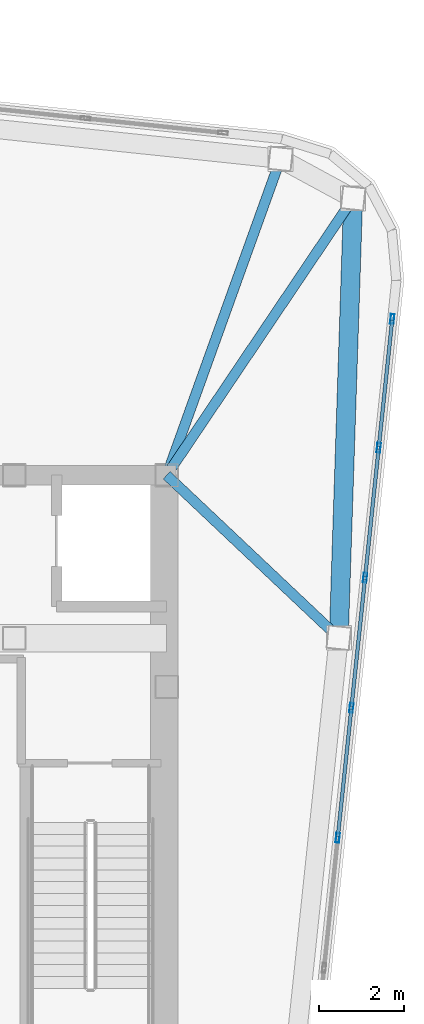
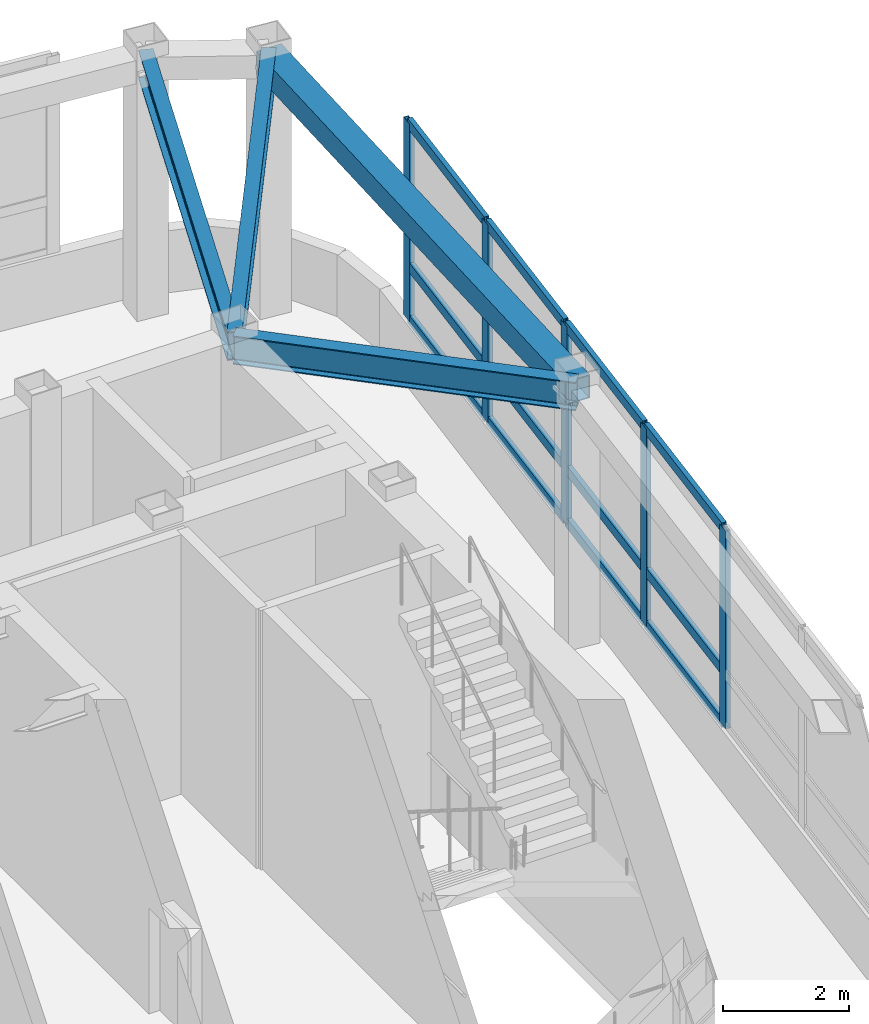
# One storey, part 13 of 23: 17 members, 4 beams, 1 element without a shape of its own.
"""IFC4 building model written with IfcOpenShell, lengths in metres."""

from ifc_helpers import new_model, si_unit, direction, frame, origin, origin_2d, place, context, subcontext, project, spatial, hollow_rectangle, i_section, extrude, material, layer, layer_set, material_profile, profile_set, type_object, element, aggregate, save


model = new_model("IFC4")

# Units and contexts
model_context = context("Model", 3, precision=1e-05, world=origin(), true_north=direction((0.0, 1.0)))
body_context = subcontext(model_context, "Body", "Model", "MODEL_VIEW")
ifc_project = project(units=[si_unit("LENGTHUNIT", "METRE"), si_unit("AREAUNIT", "SQUARE_METRE"), si_unit("VOLUMEUNIT", "CUBIC_METRE"), si_unit("PLANEANGLEUNIT", "RADIAN"), si_unit("MASSUNIT", "GRAM", prefix="KILO")], contexts=[model_context])

# Site, building, storey
site_placement = place(None, origin())
site = spatial("IfcSite", under=ifc_project, at=site_placement, CompositionType="ELEMENT")
building_placement = place(site_placement, origin())
building = spatial("IfcBuilding", under=site, at=building_placement, Name="Voryun Gate Residences", CompositionType="ELEMENT")
storey_placement = place(building_placement, frame((0.0, 0.0, 326.60009765625)))
storey = spatial("IfcBuildingStorey", under=building, at=storey_placement, Name="L80", CompositionType="ELEMENT", Elevation=326.60009765625)

# Beams
ifc_material_1 = material(Name="Steel SM355", Category="steel")
ifc_material_profile_1 = material_profile(ifc_material_1, hollow_rectangle(XDim=0.449951171875, YDim=0.449951171875, WallThickness=0.01806640625, at=origin_2d()), Name="BOX-450x450x18")
ifc_profile_set_1 = profile_set([ifc_material_profile_1], Name="Steel SM355")
beam_type_1 = type_object("IfcBeamType", Name="BM_CROWN_RING", PredefinedType="BEAM", material=ifc_profile_set_1)
beam_1_placement = place(storey_placement, frame((23.263916015625, 3.56201171875, 4.7998046875), z_axis=(0.032727694972, 0.999464305507, 0.0), x_axis=(-0.999464305507, 0.032727694972, 0.0)))
element("IfcBeam", 1, at=beam_1_placement, inside=storey, type_object=beam_type_1, Name="BM-L80-SPAND-09", PredefinedType="BEAM", context=body_context, shape_type="SweptSolid", body=[
    extrude(hollow_rectangle(XDim=0.449951171875, YDim=0.449951171875, WallThickness=0.01806640625, at=origin_2d()), origin(), (0.0, 0.0, 1.0), 10.384033203125),
])
ifc_material_2 = material(Name="Steel SM355", Category="steel")
ifc_material_profile_2 = material_profile(ifc_material_2, i_section(OverallWidth=0.239990234375, OverallDepth=0.550048828125, WebThickness=0.011962890625, FlangeThickness=0.02001953125, FilletRadius=0.01806640625, at=origin_2d()), Name="H-550x240x12x20")
ifc_profile_set_2 = profile_set([ifc_material_profile_2], Name="Steel SM355")
beam_type_2 = type_object("IfcBeamType", Name="BM_GIRD_550", PredefinedType="USERDEFINED", material=ifc_profile_set_2)
beam_2_placement = place(storey_placement, frame((19.199951171875, 7.39990234375, 4.75), z_axis=(0.727039799683, -0.686595317255, 0.0), x_axis=(0.686595317255, 0.727039799683, 0.0)))
element("IfcBeam", 2, at=beam_2_placement, inside=storey, type_object=beam_type_2, Name="BM-L80-RAD-E2", ObjectType="GIRDER", PredefinedType="USERDEFINED", context=body_context, shape_type="SweptSolid", body=[
    extrude(i_section(OverallWidth=0.239990234375, OverallDepth=0.550048828125, WebThickness=0.011962890625, FlangeThickness=0.02001953125, FilletRadius=0.01806640625, at=origin_2d()), origin(), (0.0, 0.0, 1.0), 5.58984375),
])
beam_3_placement = place(storey_placement, frame((19.199951171875, 7.39990234375, 4.75), z_axis=(0.558509953657, 0.829497818964, 0.0), x_axis=(-0.829497818964, 0.558509953657, 0.0)))
element("IfcBeam", 3, at=beam_3_placement, inside=storey, type_object=beam_type_2, Name="BM-L80-RAD-CNE", ObjectType="GIRDER", PredefinedType="USERDEFINED", context=body_context, shape_type="SweptSolid", body=[
    extrude(i_section(OverallWidth=0.239990234375, OverallDepth=0.550048828125, WebThickness=0.011962890625, FlangeThickness=0.02001953125, FilletRadius=0.01806640625, at=origin_2d()), origin(), (0.0, 0.0, 1.0), 7.885009765625),
])
beam_4_placement = place(storey_placement, frame((19.199951171875, 7.39990234375, 4.75), z_axis=(0.338588822794, 0.940934433996, 0.0), x_axis=(-0.940934433996, 0.338588822794, 0.0)))
element("IfcBeam", 4, at=beam_4_placement, inside=storey, type_object=beam_type_2, Name="BM-L80-RAD-N1", ObjectType="GIRDER", PredefinedType="USERDEFINED", context=body_context, shape_type="SweptSolid", body=[
    extrude(i_section(OverallWidth=0.239990234375, OverallDepth=0.550048828125, WebThickness=0.011962890625, FlangeThickness=0.02001953125, FilletRadius=0.01806640625, at=origin_2d()), origin(), (0.0, 0.0, 1.0), 7.94091796875),
])

# Curtain wall, members
ifc_material_3 = material(Name="Anodised aluminium", Category="aluminium")
ifc_layer = layer(ifc_material_3, 0.22998046875, Name="CW_SYS_LANTERN_DARK_GLASS")
ifc_layer_set = layer_set([ifc_layer], Name="Anodised aluminium")
curtain_wall_type = type_object("IfcCurtainWallType", Name="CW_SYS_LANTERN_DARK_GLASS", PredefinedType="NOTDEFINED", material=ifc_layer_set)
curtain_wall_placement = place(storey_placement, origin())
curtain_wall = element("IfcCurtainWall", 5, at=curtain_wall_placement, inside=storey, type_object=curtain_wall_type, Name="Curtain wall CW6-L80-16", PredefinedType="NOTDEFINED")
ifc_material_4 = material(Name="Anodised aluminium", Category="aluminium")
ifc_material_profile_3 = material_profile(ifc_material_4, hollow_rectangle(XDim=0.0849609375, YDim=0.22998046875, WallThickness=0.006103515625, at=origin_2d()), Name="ALU-MULL-230x85x6")
ifc_profile_set_3 = profile_set([ifc_material_profile_3], Name="Anodised aluminium")
member_type_1 = type_object("IfcMemberType", Name="CW_MULL_LANT", PredefinedType="MULLION", material=ifc_profile_set_3)
member_1_placement = place(storey_placement, frame((24.52783203125, 11.090576171875, 1.18994140625), z_axis=(0.0, 0.0, 1.0), x_axis=(0.994521943608, -0.104528004296, 0.0)))
member_1 = element("IfcMember", 6, at=member_1_placement, type_object=member_type_1, Name="CW6 mullion 1", PredefinedType="MULLION", context=body_context, shape_type="SweptSolid", body=[
    extrude(hollow_rectangle(XDim=0.0849609375, YDim=0.22998046875, WallThickness=0.006103515625, at=origin_2d()), origin(), (0.0, 0.0, 1.0), 3.8349609375),
])
member_2_placement = place(storey_placement, frame((24.208251953125, 8.04931640625, 1.18994140625), z_axis=(0.0, 0.0, 1.0), x_axis=(0.994521943608, -0.104528004296, 0.0)))
member_2 = element("IfcMember", 7, at=member_2_placement, type_object=member_type_1, Name="CW6 mullion 2", PredefinedType="MULLION", context=body_context, shape_type="SweptSolid", body=[
    extrude(hollow_rectangle(XDim=0.0849609375, YDim=0.22998046875, WallThickness=0.006103515625, at=origin_2d()), origin(), (0.0, 0.0, 1.0), 3.8349609375),
])
member_3_placement = place(storey_placement, frame((23.885498046875, 4.978515625, 1.18994140625), z_axis=(0.0, 0.0, 1.0), x_axis=(0.994521943608, -0.104528004296, 0.0)))
member_3 = element("IfcMember", 8, at=member_3_placement, type_object=member_type_1, Name="CW6 mullion 3", PredefinedType="MULLION", context=body_context, shape_type="SweptSolid", body=[
    extrude(hollow_rectangle(XDim=0.0849609375, YDim=0.22998046875, WallThickness=0.006103515625, at=origin_2d()), origin(), (0.0, 0.0, 1.0), 3.8349609375),
])
member_4_placement = place(storey_placement, frame((23.562744140625, 1.907470703125, 1.18994140625), z_axis=(0.0, 0.0, 1.0), x_axis=(0.994521943608, -0.104528004296, 0.0)))
member_4 = element("IfcMember", 9, at=member_4_placement, type_object=member_type_1, Name="CW6 mullion 4", PredefinedType="MULLION", context=body_context, shape_type="SweptSolid", body=[
    extrude(hollow_rectangle(XDim=0.0849609375, YDim=0.22998046875, WallThickness=0.006103515625, at=origin_2d()), origin(), (0.0, 0.0, 1.0), 3.8349609375),
])
member_5_placement = place(storey_placement, frame((23.239990234375, -1.163330078125, 1.18994140625), z_axis=(0.0, 0.0, 1.0), x_axis=(0.994521943608, -0.104528004296, 0.0)))
member_5 = element("IfcMember", 10, at=member_5_placement, type_object=member_type_1, Name="CW6 mullion 5", PredefinedType="MULLION", context=body_context, shape_type="SweptSolid", body=[
    extrude(hollow_rectangle(XDim=0.0849609375, YDim=0.22998046875, WallThickness=0.006103515625, at=origin_2d()), origin(), (0.0, 0.0, 1.0), 3.8349609375),
])
ifc_material_5 = material(Name="Anodised aluminium", Category="aluminium")
ifc_material_profile_4 = material_profile(ifc_material_5, hollow_rectangle(XDim=0.0849609375, YDim=0.18994140625, WallThickness=0.006103515625, at=origin_2d()), Name="ALU-TRAN-190x85x6")
ifc_profile_set_4 = profile_set([ifc_material_profile_4], Name="Anodised aluminium")
member_type_2 = type_object("IfcMemberType", Name="CW_TRAN_LANT", PredefinedType="USERDEFINED", material=ifc_profile_set_4)
member_6_placement = place(storey_placement, frame((24.524658203125, 11.060546875, 1.219970703125), z_axis=(-0.104485537102, -0.994526406153, 0.0), x_axis=(0.994526406153, -0.104485537102, 0.0)))
member_6 = element("IfcMember", 11, at=member_6_placement, type_object=member_type_2, Name="CW6 transom 1.1", ObjectType="TRANSOM", PredefinedType="USERDEFINED", context=body_context, shape_type="SweptSolid", body=[
    extrude(hollow_rectangle(XDim=0.0849609375, YDim=0.18994140625, WallThickness=0.006103515625, at=origin_2d()), origin(), (0.0, 0.0, 1.0), 2.997802734375),
])
member_7_placement = place(storey_placement, frame((24.524658203125, 11.060546875, 2.239990234375), z_axis=(-0.104485537102, -0.994526406153, 0.0), x_axis=(0.994526406153, -0.104485537102, 0.0)))
member_7 = element("IfcMember", 12, at=member_7_placement, type_object=member_type_2, Name="CW6 transom 1.2", ObjectType="TRANSOM", PredefinedType="USERDEFINED", context=body_context, shape_type="SweptSolid", body=[
    extrude(hollow_rectangle(XDim=0.0849609375, YDim=0.18994140625, WallThickness=0.006103515625, at=origin_2d()), origin(), (0.0, 0.0, 1.0), 2.997802734375),
])
member_8_placement = place(storey_placement, frame((24.524658203125, 11.060546875, 4.994873046875), z_axis=(-0.104485537102, -0.994526406153, 0.0), x_axis=(0.994526406153, -0.104485537102, 0.0)))
member_8 = element("IfcMember", 13, at=member_8_placement, type_object=member_type_2, Name="CW6 transom 1.3", ObjectType="TRANSOM", PredefinedType="USERDEFINED", context=body_context, shape_type="SweptSolid", body=[
    extrude(hollow_rectangle(XDim=0.0849609375, YDim=0.18994140625, WallThickness=0.006103515625, at=origin_2d()), origin(), (0.0, 0.0, 1.0), 2.997802734375),
])
member_9_placement = place(storey_placement, frame((24.205078125, 8.01953125, 1.219970703125), z_axis=(-0.104500100479, -0.994524876009, 0.0), x_axis=(0.994524876009, -0.104500100479, 0.0)))
member_9 = element("IfcMember", 14, at=member_9_placement, type_object=member_type_2, Name="CW6 transom 2.1", ObjectType="TRANSOM", PredefinedType="USERDEFINED", context=body_context, shape_type="SweptSolid", body=[
    extrude(hollow_rectangle(XDim=0.0849609375, YDim=0.18994140625, WallThickness=0.006103515625, at=origin_2d()), origin(), (0.0, 0.0, 1.0), 3.02783203125),
])
member_10_placement = place(storey_placement, frame((24.205078125, 8.01953125, 2.239990234375), z_axis=(-0.104500100479, -0.994524876009, 0.0), x_axis=(0.994524876009, -0.104500100479, 0.0)))
member_10 = element("IfcMember", 15, at=member_10_placement, type_object=member_type_2, Name="CW6 transom 2.2", ObjectType="TRANSOM", PredefinedType="USERDEFINED", context=body_context, shape_type="SweptSolid", body=[
    extrude(hollow_rectangle(XDim=0.0849609375, YDim=0.18994140625, WallThickness=0.006103515625, at=origin_2d()), origin(), (0.0, 0.0, 1.0), 3.02783203125),
])
member_11_placement = place(storey_placement, frame((24.205078125, 8.01953125, 4.994873046875), z_axis=(-0.104500100479, -0.994524876009, 0.0), x_axis=(0.994524876009, -0.104500100479, 0.0)))
member_11 = element("IfcMember", 16, at=member_11_placement, type_object=member_type_2, Name="CW6 transom 2.3", ObjectType="TRANSOM", PredefinedType="USERDEFINED", context=body_context, shape_type="SweptSolid", body=[
    extrude(hollow_rectangle(XDim=0.0849609375, YDim=0.18994140625, WallThickness=0.006103515625, at=origin_2d()), origin(), (0.0, 0.0, 1.0), 3.02783203125),
])
member_12_placement = place(storey_placement, frame((23.88232421875, 4.948486328125, 1.219970703125), z_axis=(-0.104500100479, -0.994524876009, 0.0), x_axis=(0.994524876009, -0.104500100479, 0.0)))
member_12 = element("IfcMember", 17, at=member_12_placement, type_object=member_type_2, Name="CW6 transom 3.1", ObjectType="TRANSOM", PredefinedType="USERDEFINED", context=body_context, shape_type="SweptSolid", body=[
    extrude(hollow_rectangle(XDim=0.0849609375, YDim=0.18994140625, WallThickness=0.006103515625, at=origin_2d()), origin(), (0.0, 0.0, 1.0), 3.02783203125),
])
member_13_placement = place(storey_placement, frame((23.88232421875, 4.948486328125, 2.239990234375), z_axis=(-0.104500100479, -0.994524876009, 0.0), x_axis=(0.994524876009, -0.104500100479, 0.0)))
member_13 = element("IfcMember", 18, at=member_13_placement, type_object=member_type_2, Name="CW6 transom 3.2", ObjectType="TRANSOM", PredefinedType="USERDEFINED", context=body_context, shape_type="SweptSolid", body=[
    extrude(hollow_rectangle(XDim=0.0849609375, YDim=0.18994140625, WallThickness=0.006103515625, at=origin_2d()), origin(), (0.0, 0.0, 1.0), 3.02783203125),
])
member_14_placement = place(storey_placement, frame((23.88232421875, 4.948486328125, 4.994873046875), z_axis=(-0.104500100479, -0.994524876009, 0.0), x_axis=(0.994524876009, -0.104500100479, 0.0)))
member_14 = element("IfcMember", 19, at=member_14_placement, type_object=member_type_2, Name="CW6 transom 3.3", ObjectType="TRANSOM", PredefinedType="USERDEFINED", context=body_context, shape_type="SweptSolid", body=[
    extrude(hollow_rectangle(XDim=0.0849609375, YDim=0.18994140625, WallThickness=0.006103515625, at=origin_2d()), origin(), (0.0, 0.0, 1.0), 3.02783203125),
])
member_15_placement = place(storey_placement, frame((23.5595703125, 1.877685546875, 1.219970703125), z_axis=(-0.104500100479, -0.994524876009, 0.0), x_axis=(0.994524876009, -0.104500100479, 0.0)))
member_15 = element("IfcMember", 20, at=member_15_placement, type_object=member_type_2, Name="CW6 transom 4.1", ObjectType="TRANSOM", PredefinedType="USERDEFINED", context=body_context, shape_type="SweptSolid", body=[
    extrude(hollow_rectangle(XDim=0.0849609375, YDim=0.18994140625, WallThickness=0.006103515625, at=origin_2d()), origin(), (0.0, 0.0, 1.0), 3.02783203125),
])
member_16_placement = place(storey_placement, frame((23.5595703125, 1.877685546875, 2.239990234375), z_axis=(-0.104500100479, -0.994524876009, 0.0), x_axis=(0.994524876009, -0.104500100479, 0.0)))
member_16 = element("IfcMember", 21, at=member_16_placement, type_object=member_type_2, Name="CW6 transom 4.2", ObjectType="TRANSOM", PredefinedType="USERDEFINED", context=body_context, shape_type="SweptSolid", body=[
    extrude(hollow_rectangle(XDim=0.0849609375, YDim=0.18994140625, WallThickness=0.006103515625, at=origin_2d()), origin(), (0.0, 0.0, 1.0), 3.02783203125),
])
member_17_placement = place(storey_placement, frame((23.5595703125, 1.877685546875, 4.994873046875), z_axis=(-0.104500100479, -0.994524876009, 0.0), x_axis=(0.994524876009, -0.104500100479, 0.0)))
member_17 = element("IfcMember", 22, at=member_17_placement, type_object=member_type_2, Name="CW6 transom 4.3", ObjectType="TRANSOM", PredefinedType="USERDEFINED", context=body_context, shape_type="SweptSolid", body=[
    extrude(hollow_rectangle(XDim=0.0849609375, YDim=0.18994140625, WallThickness=0.006103515625, at=origin_2d()), origin(), (0.0, 0.0, 1.0), 3.02783203125),
])
aggregate(curtain_wall, [member_1, member_2, member_3, member_4, member_5, member_6, member_7, member_8, member_9, member_10, member_11, member_12, member_13, member_14, member_15, member_16, member_17])

save(model, "model.ifc")
